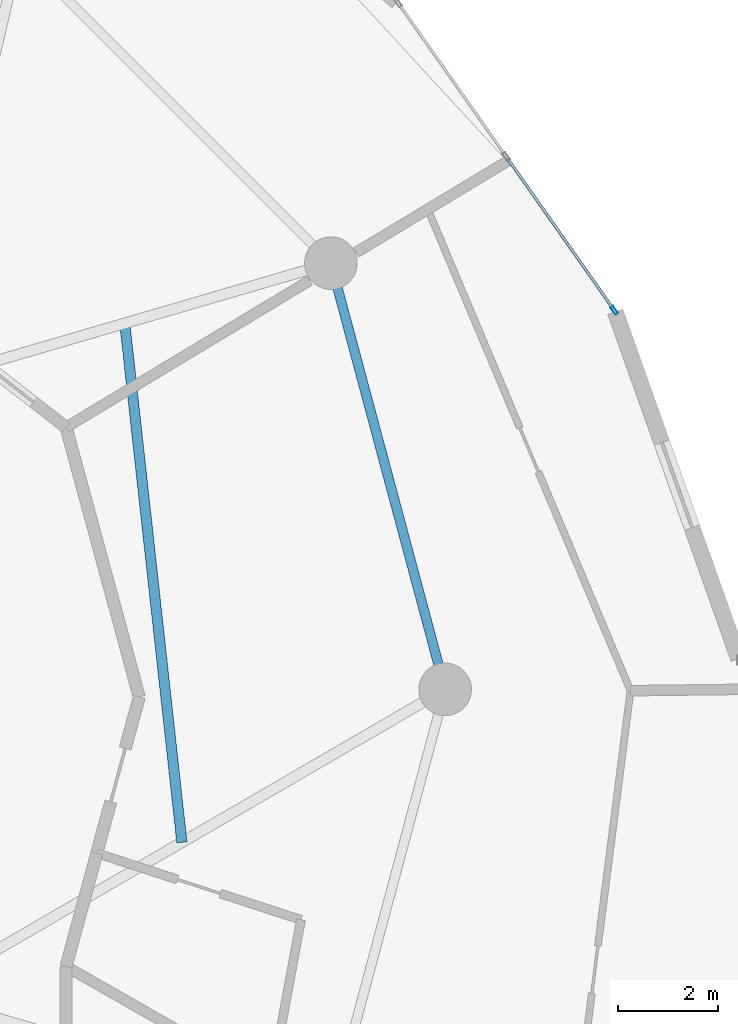
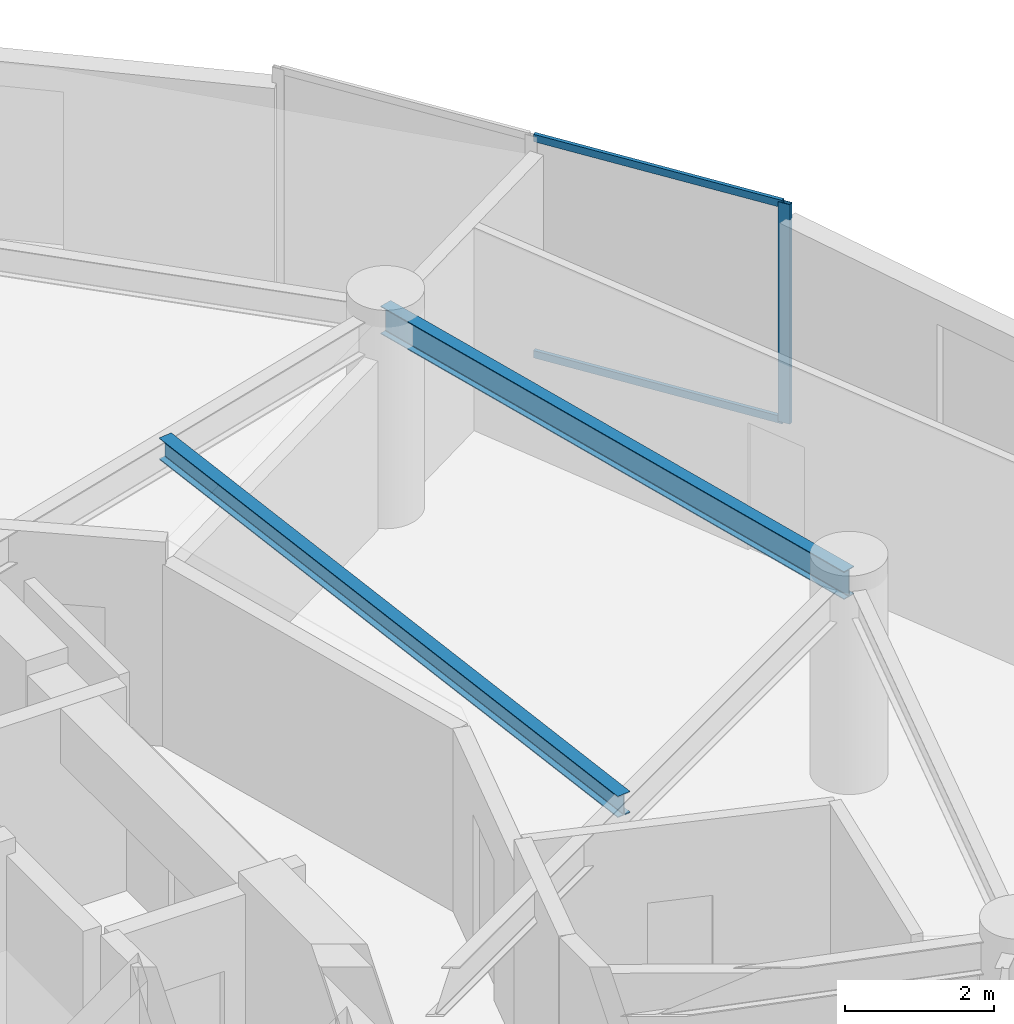
# One storey, part 11 of 22: 3 members, 2 beams, 1 element without a shape of its own.
"""IFC4 building model written with IfcOpenShell, lengths in metres."""

from ifc_helpers import new_model, si_unit, direction, frame, origin, origin_2d, place, context, subcontext, project, spatial, hollow_rectangle, i_section, extrude, source, transform, mapped, material, layer, layer_set, material_profile, profile_set, type_object, element, aggregate, save


model = new_model("IFC4")

# Units and contexts
model_context = context("Model", 3, precision=1e-05, world=origin(), true_north=direction((0.0, 1.0)))
body_context = subcontext(model_context, "Body", "Model", "MODEL_VIEW")
ifc_project = project(units=[si_unit("LENGTHUNIT", "METRE"), si_unit("AREAUNIT", "SQUARE_METRE"), si_unit("VOLUMEUNIT", "CUBIC_METRE"), si_unit("PLANEANGLEUNIT", "RADIAN"), si_unit("MASSUNIT", "GRAM", prefix="KILO")], contexts=[model_context])

# Site, building, storey
site_placement = place(None, origin())
site = spatial("IfcSite", under=ifc_project, at=site_placement, CompositionType="ELEMENT")
building_placement = place(site_placement, origin())
building = spatial("IfcBuilding", under=site, at=building_placement, Name="Solvirekh Grand Hotel", CompositionType="ELEMENT")
storey_placement = place(building_placement, frame((0.0, 0.0, 153.0)))
storey = spatial("IfcBuildingStorey", under=building, at=storey_placement, Name="L39", CompositionType="ELEMENT", Elevation=153.0)

# Beams
ifc_material_1 = material(Name="Steel S355", Category="steel")
ifc_material_profile_1 = material_profile(ifc_material_1, i_section(OverallWidth=0.2041015625, OverallDepth=0.35009765625, WebThickness=0.009033203125, FlangeThickness=0.014892578125, FilletRadius=0.010986328125, at=origin_2d()), Name="W360X72")
ifc_profile_set_1 = profile_set([ifc_material_profile_1], Name="Steel S355")
beam_type_1 = type_object("IfcBeamType", Name="Joist_Floor_W360", PredefinedType="JOIST", material=ifc_profile_set_1)
beam_1_placement = place(storey_placement, frame((11.75, -3.050048828125, 3.175048828125), z_axis=(-0.109378935301, 0.994000125006, 0.0), x_axis=(-0.994000125006, -0.109378935301, 0.0)))
element("IfcBeam", 1, at=beam_1_placement, inside=storey, type_object=beam_type_1, Name="L39 secondary composite floor joist 1", PredefinedType="JOIST", context=body_context, shape_type="SweptSolid", body=[
    extrude(i_section(OverallWidth=0.2041015625, OverallDepth=0.35009765625, WebThickness=0.009033203125, FlangeThickness=0.014892578125, FilletRadius=0.010986328125, at=origin_2d()), origin(), (0.0, 0.0, 1.0), 10.41259765625),
])
ifc_material_profile_2 = material_profile(ifc_material_1, i_section(OverallWidth=0.18994140625, OverallDepth=0.45703125, WebThickness=0.009033203125, FlangeThickness=0.013916015625, FilletRadius=0.012939453125, at=origin_2d()), Name="W460X74")
ifc_profile_set_2 = profile_set([ifc_material_profile_2], Name="Steel S355")
beam_type_2 = type_object("IfcBeamType", Name="Spandrel_Ring_W460", PredefinedType="SPANDREL", material=ifc_profile_set_2)
beam_2_placement = place(storey_placement, frame((17.0, 0.0, 3.12109375), z_axis=(-0.258872908946, 0.965911391906, 0.0), x_axis=(-0.965911391906, -0.258872908946, 0.0)))
element("IfcBeam", 2, at=beam_2_placement, inside=storey, type_object=beam_type_2, Name="L39 perimeter spandrel beam 1", PredefinedType="SPANDREL", context=body_context, shape_type="SweptSolid", body=[
    extrude(i_section(OverallWidth=0.18994140625, OverallDepth=0.45703125, WebThickness=0.009033203125, FlangeThickness=0.013916015625, FilletRadius=0.012939453125, at=origin_2d()), origin(), (0.0, 0.0, 1.0), 8.800048828125),
])

# Curtain wall, members
ifc_material_2 = material(Name="Anodized Bronze Aluminium 6063-T6", Category="aluminium")
ifc_layer = layer(ifc_material_2, 0.175048828125)
ifc_layer_set = layer_set([ifc_layer], Name="Anodized Bronze Aluminium 6063-T6")
curtain_wall_type = type_object("IfcCurtainWallType", Name="CW_Sys3_MidZoneFlushBronzeCW", PredefinedType="NOTDEFINED", material=ifc_layer_set)
curtain_wall_placement = place(storey_placement, origin())
curtain_wall = element("IfcCurtainWall", 3, at=curtain_wall_placement, inside=storey, type_object=curtain_wall_type, Name="L39 unitised bronze-glass curtain wall CW-L39-C05", PredefinedType="NOTDEFINED")
ifc_material_profile_3 = material_profile(ifc_material_2, hollow_rectangle(XDim=0.054931640625, YDim=0.1201171875, WallThickness=0.00390625, at=origin_2d()), Name="ALU RHS 120X55X4")
ifc_profile_set_3 = profile_set([ifc_material_profile_3], Name="Anodized Bronze Aluminium 6063-T6")
member_type_1 = type_object("IfcMemberType", Name="CWTransom_Sys3", PredefinedType="USERDEFINED", material=ifc_profile_set_3)
shared_shape_1 = source(origin(), body_context, "Body", "SweptSolid", [
    extrude(hollow_rectangle(XDim=0.054931640625, YDim=0.1201171875, WallThickness=0.00390625, at=origin_2d()), origin(), (0.0, 0.0, 1.0), 3.681884765625),
])
member_1_placement = place(storey_placement, frame((20.355712890625, 7.586181640625, 0.027587890625), z_axis=(-0.575081073511, 0.818096423956, 0.0), x_axis=(-0.818096423956, -0.575081073511, 0.0)))
member_1 = element("IfcMember", 4, at=member_1_placement, type_object=member_type_1, Name="U03 transom 1.1", ObjectType="TRANSOM", PredefinedType="USERDEFINED", context=body_context, shape_type="MappedRepresentation", body=[
    mapped(shared_shape_1, transform((0.0, 0.0, 0.0), x_axis=(1.0, 0.0, 0.0), y_axis=(0.0, 1.0, 0.0), z_axis=(0.0, 0.0, 1.0), scale=1.0)),
])
member_2_placement = place(storey_placement, frame((20.355712890625, 7.586181640625, 3.572509765625), z_axis=(-0.575081073511, 0.818096423956, 0.0), x_axis=(-0.818096423956, -0.575081073511, 0.0)))
member_2 = element("IfcMember", 5, at=member_2_placement, type_object=member_type_1, Name="U03 transom 1.2", ObjectType="TRANSOM", PredefinedType="USERDEFINED", context=body_context, shape_type="MappedRepresentation", body=[
    mapped(shared_shape_1, transform((0.0, 0.0, 0.0), x_axis=(1.0, 0.0, 0.0), y_axis=(0.0, 1.0, 0.0), z_axis=(0.0, 0.0, 1.0), scale=1.0)),
])
ifc_material_profile_4 = material_profile(ifc_material_2, hollow_rectangle(XDim=0.06494140625, YDim=0.175048828125, WallThickness=0.0048828125, at=origin_2d()), Name="ALU RHS 175X65X5")
ifc_profile_set_4 = profile_set([ifc_material_profile_4], Name="Anodized Bronze Aluminium 6063-T6")
member_type_2 = type_object("IfcMemberType", Name="CWMullion_Sys3", PredefinedType="MULLION", material=ifc_profile_set_4)
shared_shape_2 = source(origin(), body_context, "Body", "SweptSolid", [
    extrude(hollow_rectangle(XDim=0.06494140625, YDim=0.175048828125, WallThickness=0.0048828125, at=origin_2d()), origin(), (0.0, 0.0, 1.0), 3.60009765625),
])
member_3_placement = place(storey_placement, frame((20.374267578125, 7.5595703125, 0.0), z_axis=(0.0, 0.0, 1.0), x_axis=(-0.818099178289, -0.575077155244, 0.0)))
member_3 = element("IfcMember", 6, at=member_3_placement, type_object=member_type_2, Name="U03 mullion 1", PredefinedType="MULLION", context=body_context, shape_type="MappedRepresentation", body=[
    mapped(shared_shape_2, transform((0.0, 0.0, 0.0), x_axis=(1.0, 0.0, 0.0), y_axis=(0.0, 1.0, 0.0), z_axis=(0.0, 0.0, 1.0), scale=1.0)),
])
aggregate(curtain_wall, [member_3, member_1, member_2])

save(model, "model.ifc")
